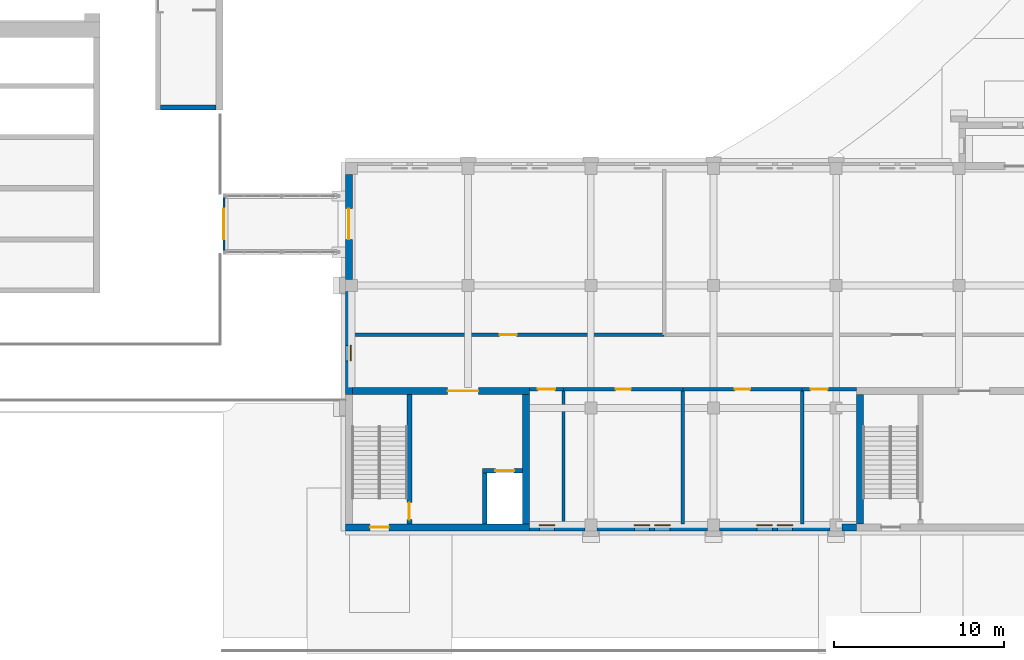
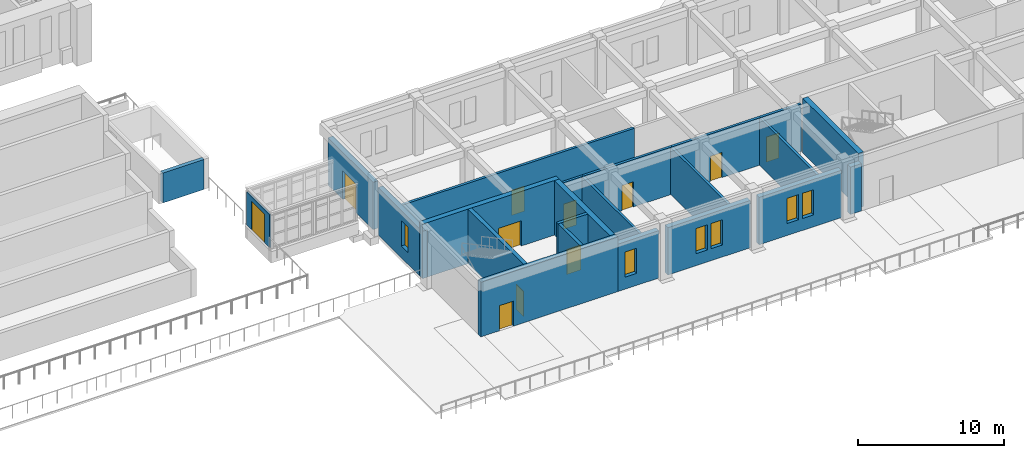
# One storey, part 89 of 131: 23 walls, 11 doors, 6 windows, 17 openings.
"""IFC4 building model written with IfcOpenShell, lengths in metres."""

from ifc_helpers import new_model, si_unit, direction, frame, frame_2d, origin, place, context, subcontext, project, spatial, rectangle, extrude, material, layer, layer_set, type_object, element, fill, save


model = new_model("IFC4")

# Units and contexts
model_context = context("Model", 3, precision=1e-05, world=origin(), true_north=direction((0.0, 1.0)))
body_context = subcontext(model_context, "Body", "Model", "MODEL_VIEW")
ifc_project = project(units=[si_unit("LENGTHUNIT", "METRE"), si_unit("AREAUNIT", "SQUARE_METRE"), si_unit("VOLUMEUNIT", "CUBIC_METRE"), si_unit("PLANEANGLEUNIT", "RADIAN"), si_unit("MASSUNIT", "GRAM", prefix="KILO")], contexts=[model_context])

# Site, building, storey
site_placement = place(None, origin())
site = spatial("IfcSite", under=ifc_project, at=site_placement, CompositionType="ELEMENT")
building_placement = place(site_placement, origin())
building = spatial("IfcBuilding", under=site, at=building_placement, Name="Alderwick Market Hall", CompositionType="ELEMENT")
storey_placement = place(building_placement, frame((0.0, 0.0, 4.800048828125)))
storey = spatial("IfcBuildingStorey", under=building, at=storey_placement, Name="L00", CompositionType="ELEMENT", Elevation=4.800048828125)

# Wall
ifc_material_1 = material(Name="Concrete 5000 psi (f'c 35 MPa)", Category="concrete")
ifc_layer_1 = layer(ifc_material_1, 0.300048828125)
ifc_layer_set_1 = layer_set([ifc_layer_1], Name="Concrete 5000 psi (f'c 35 MPa)")
wall_type_1 = type_object("IfcWallType", Name="A RC Head-house Wall 300", PredefinedType="SHEAR", material=ifc_layer_set_1)
wall_1_placement = place(storey_placement, frame((150.800048828125, 32.030029296875, 0.0), z_axis=(0.0, 0.0, 1.0), x_axis=(-1.0, 0.0, 0.0)))
element("IfcWall", 1, at=wall_1_placement, inside=storey, type_object=wall_type_1, Name="A.S.hh.E.n", PredefinedType="SHEAR", context=body_context, shape_type="SweptSolid", body=[
    extrude(rectangle(XDim=3.25, YDim=0.300048828125, at=frame_2d((1.625, 0.0))), origin(), (0.0, 0.0, 1.0), 2.5),
])

# Wall, opening, door
ifc_layer_2 = layer(ifc_material_1, 0.39990234375)
ifc_layer_set_2 = layer_set([ifc_layer_2], Name="Concrete 5000 psi (f'c 35 MPa)")
wall_type_2 = type_object("IfcWallType", Name="C Core Wall Concrete 5000 psi 400", PredefinedType="SHEAR", material=ifc_layer_set_2)
wall_2_placement = place(storey_placement, frame((169.199951171875, 7.39990234375, 0.0), z_axis=(0.0, 0.0, 1.0), x_axis=(-1.0, 0.0, 0.0)))
wall_2 = element("IfcWall", 2, at=wall_2_placement, inside=storey, type_object=wall_type_2, Name="C.wall.L00.fac.back.01", PredefinedType="SHEAR", context=body_context, shape_type="SweptSolid", body=[
    extrude(rectangle(XDim=10.800048828125, YDim=0.39990234375, at=frame_2d((5.39990234375, 0.0))), origin(), (0.0, 0.0, 1.0), 4.550048828125),
])
opening_1_placement = place(wall_2_placement, frame((8.25, 0.0, 0.0)))
opening_1 = element("IfcOpeningElement", 3, at=opening_1_placement, cuts=wall_2, Name="Opening C-D037", PredefinedType="OPENING", context=body_context, shape_type="SweptSolid", body=[
    extrude(rectangle(XDim=1.10009765625, YDim=2.10009765625, at=frame_2d((0.550048828125, 1.050048828125))), frame((0.0, 0.2099609375, 0.0), z_axis=(0.0, -1.0, 0.0), x_axis=(1.0, 0.0, 0.0)), (0.0, 0.0, 1.0), 0.419921875),
])
ifc_material_2 = material(Name="Steel, insulated", Category="steel")
door_type_1 = type_object("IfcDoorType", Name="C Exit Door FD60 1100x2100", OperationType="NOTDEFINED", PredefinedType="DOOR", material=ifc_material_2)
door_1_placement = place(opening_1_placement, origin())
door_1 = element("IfcDoor", 4, at=door_1_placement, inside=storey, type_object=door_type_1, Name="C.door.L00.037", OperationType="NOTDEFINED", OverallHeight=2.10009765625, OverallWidth=1.10009765625, PredefinedType="DOOR", context=body_context, shape_type="SweptSolid", body=[
    extrude(rectangle(XDim=1.10009765625, YDim=2.10009765625, at=frame_2d((0.550048828125, 1.050048828125))), frame((0.0, 0.02490234375, 0.0), z_axis=(0.0, -1.0, 0.0), x_axis=(1.0, 0.0, 0.0)), (0.0, 0.0, 1.0), 0.050048828125),
])
fill(opening_1, door_1)

wall_3_placement = place(storey_placement, frame((158.39990234375, 15.39990234375, 0.0), z_axis=(0.0, 0.0, 1.0), x_axis=(1.0, 0.0, 0.0)))
wall_3 = element("IfcWall", 5, at=wall_3_placement, inside=storey, type_object=wall_type_2, Name="C.wall.L00.core.A.front.01", PredefinedType="SHEAR", context=body_context, shape_type="SweptSolid", body=[
    extrude(rectangle(XDim=10.800048828125, YDim=0.39990234375, at=frame_2d((5.39990234375, 0.0))), origin(), (0.0, 0.0, 1.0), 4.550048828125),
])
opening_2_placement = place(wall_3_placement, frame((6.0, 0.0, 0.0)))
opening_2 = element("IfcOpeningElement", 6, at=opening_2_placement, cuts=wall_3, Name="Opening C-D035", PredefinedType="OPENING", context=body_context, shape_type="SweptSolid", body=[
    extrude(rectangle(XDim=1.800048828125, YDim=2.10009765625, at=frame_2d((0.89990234375, 1.050048828125))), frame((0.0, 0.2099609375, 0.0), z_axis=(0.0, -1.0, 0.0), x_axis=(1.0, 0.0, 0.0)), (0.0, 0.0, 1.0), 0.419921875),
])
door_type_2 = type_object("IfcDoorType", Name="C Fire Door Pair FD90 1800x2100", OperationType="NOTDEFINED", PredefinedType="DOOR", material=ifc_material_2)
door_2_placement = place(opening_2_placement, origin())
door_2 = element("IfcDoor", 7, at=door_2_placement, inside=storey, type_object=door_type_2, Name="C.door.L00.035", OperationType="NOTDEFINED", OverallHeight=2.10009765625, OverallWidth=1.800048828125, PredefinedType="DOOR", context=body_context, shape_type="SweptSolid", body=[
    extrude(rectangle(XDim=1.800048828125, YDim=2.10009765625, at=frame_2d((0.89990234375, 1.050048828125))), frame((0.0, 0.02490234375, 0.0), z_axis=(0.0, -1.0, 0.0), x_axis=(1.0, 0.0, 0.0)), (0.0, 0.0, 1.0), 0.050048828125),
])
fill(opening_2, door_2)

# Walls
for number, where, z_axis, x_axis, name in (
    (8, (169.0, 15.199951171875, 0.0), (0.0, 0.0, 1.0), (0.0, -1.0, 0.0), "C.wall.L00.core.A.east.01"),
    (9, (188.60009765625, 15.199951171875, 0.0), (0.0, 0.0, 1.0), (0.0, -1.0, 0.0), "C.wall.L00.core.B.west.01"),
):
    element("IfcWall", number, at=place(storey_placement, frame(where, z_axis=z_axis, x_axis=x_axis)), inside=storey, type_object=wall_type_2, Name=name, PredefinedType="SHEAR", context=body_context, shape_type="SweptSolid", body=[
        extrude(rectangle(XDim=7.599853515625, YDim=0.39990234375, at=frame_2d((3.7998046875, 0.0))), origin(), (0.0, 0.0, 1.0), 4.550048828125),
    ])

# Wall, opening, door
ifc_layer_3 = layer(ifc_material_1, 0.39990234375)
ifc_layer_set_3 = layer_set([ifc_layer_3], Name="Concrete 5000 psi (f'c 35 MPa)")
wall_type_3 = type_object("IfcWallType", Name="C End Shear Wall Concrete 5000 psi 400", PredefinedType="SHEAR", material=ifc_layer_set_3)
wall_4_placement = place(storey_placement, frame((158.60009765625, 21.949951171875, 0.0), z_axis=(0.0, 0.0, 1.0), x_axis=(0.0, 1.0, 0.0)))
wall_4 = element("IfcWall", 10, at=wall_4_placement, inside=storey, type_object=wall_type_3, Name="C.wall.L00.fac.west.01", PredefinedType="SHEAR", context=body_context, shape_type="SweptSolid", body=[
    extrude(rectangle(XDim=6.150146484375, YDim=0.39990234375, at=frame_2d((3.0751953125, 0.0))), origin(), (0.0, 0.0, 1.0), 3.949951171875),
])
opening_3_placement = place(wall_4_placement, frame((2.35009765625, 0.0, 0.0)))
opening_3 = element("IfcOpeningElement", 11, at=opening_3_placement, cuts=wall_4, Name="Opening C-D008", PredefinedType="OPENING", context=body_context, shape_type="SweptSolid", body=[
    extrude(rectangle(XDim=1.800048828125, YDim=2.39990234375, at=frame_2d((0.89990234375, 1.199951171875))), frame((0.0, 0.2099609375, 0.0), z_axis=(0.0, -1.0, 0.0), x_axis=(1.0, 0.0, 0.0)), (0.0, 0.0, 1.0), 0.419921875),
])
ifc_material_3 = material(Name="Aluminium, glazed", Category="aluminium")
door_type_3 = type_object("IfcDoorType", Name="C Passage Door Pair 1800x2400", OperationType="NOTDEFINED", PredefinedType="DOOR", material=ifc_material_3)
door_3_placement = place(opening_3_placement, origin())
door_3 = element("IfcDoor", 12, at=door_3_placement, inside=storey, type_object=door_type_3, Name="C.door.L00.008", OperationType="NOTDEFINED", OverallHeight=2.39990234375, OverallWidth=1.800048828125, PredefinedType="DOOR", context=body_context, shape_type="SweptSolid", body=[
    extrude(rectangle(XDim=1.800048828125, YDim=2.39990234375, at=frame_2d((0.89990234375, 1.199951171875))), frame((0.0, 0.02490234375, 0.0), z_axis=(0.0, -1.0, 0.0), x_axis=(1.0, 0.0, 0.0)), (0.0, 0.0, 1.0), 0.050048828125),
])
fill(opening_3, door_3)

# Wall, opening, window
wall_5_placement = place(storey_placement, frame((158.60009765625, 15.199951171875, 0.0), z_axis=(0.0, 0.0, 1.0), x_axis=(0.0, 1.0, 0.0)))
wall_5 = element("IfcWall", 13, at=wall_5_placement, inside=storey, type_object=wall_type_3, Name="C.wall.L00.fac.west.02", PredefinedType="SHEAR", context=body_context, shape_type="SweptSolid", body=[
    extrude(rectangle(XDim=6.050048828125, YDim=0.39990234375, at=frame_2d((3.02490234375, 0.0))), origin(), (0.0, 0.0, 1.0), 3.949951171875),
])
opening_4_placement = place(wall_5_placement, frame((1.97509765625, 0.0, 1.0)))
opening_4 = element("IfcOpeningElement", 14, at=opening_4_placement, cuts=wall_5, Name="Opening C-W010", PredefinedType="OPENING", context=body_context, shape_type="SweptSolid", body=[
    extrude(rectangle(XDim=0.89990234375, YDim=2.10009765625, at=frame_2d((0.449951171875, 1.050048828125))), frame((0.0, 0.2099609375, 0.0), z_axis=(0.0, -1.0, 0.0), x_axis=(1.0, 0.0, 0.0)), (0.0, 0.0, 1.0), 0.419921875),
])
ifc_material_4 = material(Name="Aluminium frame, double glazing", Category="aluminium")
window_type = type_object("IfcWindowType", Name="C Paired Base Window 900x2100", PartitioningType="SINGLE_PANEL", PredefinedType="WINDOW", material=ifc_material_4)
window_1_placement = place(opening_4_placement, origin())
window_1 = element("IfcWindow", 15, at=window_1_placement, inside=storey, type_object=window_type, Name="C.win.L00.010", OverallHeight=2.10009765625, OverallWidth=0.89990234375, PartitioningType="SINGLE_PANEL", PredefinedType="WINDOW", context=body_context, shape_type="SweptSolid", body=[
    extrude(rectangle(XDim=0.89990234375, YDim=2.10009765625, at=frame_2d((0.449951171875, 1.050048828125))), frame((0.0, -0.090087890625, 0.0), z_axis=(0.0, -1.0, 0.0), x_axis=(1.0, 0.0, 0.0)), (0.0, 0.0, 1.0), 0.06005859375),
])
fill(opening_4, window_1)

# Wall, opening, door
ifc_material_5 = material(Name="Gypsum board on steel studs", Category="steel")
ifc_layer_4 = layer(ifc_material_5, 0.199951171875)
ifc_layer_set_4 = layer_set([ifc_layer_4], Name="Gypsum board on steel studs")
wall_type_4 = type_object("IfcWallType", Name="C Fire Partition Wall 200", PredefinedType="PARTITIONING", material=ifc_layer_set_4)
wall_6_placement = place(storey_placement, frame((169.199951171875, 15.5, 0.0), z_axis=(0.0, 0.0, 1.0), x_axis=(1.0, 0.0, 0.0)))
wall_6 = element("IfcWall", 16, at=wall_6_placement, inside=storey, type_object=wall_type_4, Name="C.wall.L00.part.005", PredefinedType="PARTITIONING", context=body_context, shape_type="SweptSolid", body=[
    extrude(rectangle(XDim=2.0, YDim=0.199951171875, at=frame_2d((1.0, 0.0))), origin(), (0.0, 0.0, 1.0), 3.949951171875),
])
opening_5_placement = place(wall_6_placement, frame((0.5, 0.0, 0.0)))
opening_5 = element("IfcOpeningElement", 17, at=opening_5_placement, cuts=wall_6, Name="Opening C-D049", PredefinedType="OPENING", context=body_context, shape_type="SweptSolid", body=[
    extrude(rectangle(XDim=1.0, YDim=2.10009765625, at=frame_2d((0.5, 1.050048828125))), frame((0.0, 0.10986328125, 0.0), z_axis=(0.0, -1.0, 0.0), x_axis=(1.0, 0.0, 0.0)), (0.0, 0.0, 1.0), 0.219970703125),
])
door_type_4 = type_object("IfcDoorType", Name="C Fire Door FD60 1000x2100", OperationType="NOTDEFINED", PredefinedType="DOOR", material=ifc_material_2)
door_4_placement = place(opening_5_placement, origin())
door_4 = element("IfcDoor", 18, at=door_4_placement, inside=storey, type_object=door_type_4, Name="C.door.L00.049", OperationType="NOTDEFINED", OverallHeight=2.10009765625, OverallWidth=1.0, PredefinedType="DOOR", context=body_context, shape_type="SweptSolid", body=[
    extrude(rectangle(XDim=1.0, YDim=2.10009765625, at=frame_2d((0.5, 1.050048828125))), frame((0.0, 0.02490234375, 0.0), z_axis=(0.0, -1.0, 0.0), x_axis=(1.0, 0.0, 0.0)), (0.0, 0.0, 1.0), 0.050048828125),
])
fill(opening_5, door_4)

# Walls
wall_7_placement = place(storey_placement, frame((171.199951171875, 15.5, 0.0), z_axis=(0.0, 0.0, 1.0), x_axis=(0.0, -1.0, 0.0)))
element("IfcWall", 19, at=wall_7_placement, inside=storey, type_object=wall_type_4, Name="C.wall.L00.part.010", PredefinedType="PARTITIONING", context=body_context, shape_type="SweptSolid", body=[
    extrude(rectangle(XDim=7.89990234375, YDim=0.199951171875, at=frame_2d((3.949951171875, 0.0))), origin(), (0.0, 0.0, 1.0), 3.949951171875),
])
ifc_layer_5 = layer(ifc_material_1, 0.25)
ifc_layer_set_5 = layer_set([ifc_layer_5], Name="Concrete 5000 psi (f'c 35 MPa)")
wall_type_5 = type_object("IfcWallType", Name="C Lift Shaft Wall Concrete 5000 psi 250", PredefinedType="SHEAR", material=ifc_layer_set_5)
wall_8_placement = place(storey_placement, frame((166.574951171875, 10.85009765625, 0.0), z_axis=(0.0, 0.0, 1.0), x_axis=(0.0, -1.0, 0.0)))
element("IfcWall", 20, at=wall_8_placement, inside=storey, type_object=wall_type_5, Name="C.wall.L00.core.A.shaftw.01", PredefinedType="SHEAR", context=body_context, shape_type="SweptSolid", body=[
    extrude(rectangle(XDim=3.25, YDim=0.25, at=frame_2d((1.625, 0.0))), origin(), (0.0, 0.0, 1.0), 4.550048828125),
])

# Wall, opening, door
wall_9_placement = place(storey_placement, frame((166.449951171875, 10.72509765625, 0.0), z_axis=(0.0, 0.0, 1.0), x_axis=(1.0, 0.0, 0.0)))
wall_9 = element("IfcWall", 21, at=wall_9_placement, inside=storey, type_object=wall_type_5, Name="C.wall.L00.core.A.shaftf.01", PredefinedType="SHEAR", context=body_context, shape_type="SweptSolid", body=[
    extrude(rectangle(XDim=2.35009765625, YDim=0.25, at=frame_2d((1.175048828125, 0.0))), origin(), (0.0, 0.0, 1.0), 4.550048828125),
])
opening_6_placement = place(wall_9_placement, frame((0.75, 0.0, 0.0)))
opening_6 = element("IfcOpeningElement", 22, at=opening_6_placement, cuts=wall_9, Name="Opening C-D036", PredefinedType="OPENING", context=body_context, shape_type="SweptSolid", body=[
    extrude(rectangle(XDim=1.10009765625, YDim=2.10009765625, at=frame_2d((0.550048828125, 1.050048828125))), frame((0.0, 0.135009765625, 0.0), z_axis=(0.0, -1.0, 0.0), x_axis=(1.0, 0.0, 0.0)), (0.0, 0.0, 1.0), 0.27001953125),
])
ifc_material_6 = material(Name="Stainless steel", Category="steel")
door_type_5 = type_object("IfcDoorType", Name="C Lift Landing Door 1100x2100", OperationType="SLIDING_TO_LEFT", PredefinedType="DOOR", material=ifc_material_6)
door_5_placement = place(opening_6_placement, origin())
door_5 = element("IfcDoor", 23, at=door_5_placement, inside=storey, type_object=door_type_5, Name="C.door.L00.036", OperationType="SLIDING_TO_LEFT", OverallHeight=2.10009765625, OverallWidth=1.10009765625, PredefinedType="DOOR", context=body_context, shape_type="SweptSolid", body=[
    extrude(rectangle(XDim=1.10009765625, YDim=2.10009765625, at=frame_2d((0.550048828125, 1.050048828125))), frame((0.0, 0.02490234375, 0.0), z_axis=(0.0, -1.0, 0.0), x_axis=(1.0, 0.0, 0.0)), (0.0, 0.0, 1.0), 0.050048828125),
])
fill(opening_6, door_5)

ifc_layer_6 = layer(ifc_material_5, 0.199951171875)
ifc_layer_set_6 = layer_set([ifc_layer_6], Name="Gypsum board on steel studs")
wall_type_6 = type_object("IfcWallType", Name="C Partition Wall 200", PredefinedType="PARTITIONING", material=ifc_layer_set_6)
wall_10_placement = place(storey_placement, frame((158.800048828125, 18.699951171875, 0.0), z_axis=(0.0, 0.0, 1.0), x_axis=(1.0, 0.0, 0.0)))
wall_10 = element("IfcWall", 24, at=wall_10_placement, inside=storey, type_object=wall_type_6, Name="C.wall.L00.part.001", PredefinedType="PARTITIONING", context=body_context, shape_type="SweptSolid", body=[
    extrude(rectangle(XDim=18.300048828125, YDim=0.199951171875, at=frame_2d((9.14990234375, 0.0))), origin(), (0.0, 0.0, 1.0), 3.949951171875),
])
opening_7_placement = place(wall_10_placement, frame((8.64990234375, 0.0, 0.0)))
opening_7 = element("IfcOpeningElement", 25, at=opening_7_placement, cuts=wall_10, Name="Opening C-D045", PredefinedType="OPENING", context=body_context, shape_type="SweptSolid", body=[
    extrude(rectangle(XDim=1.0, YDim=2.10009765625, at=frame_2d((0.5, 1.050048828125))), frame((0.0, 0.10986328125, 0.0), z_axis=(0.0, -1.0, 0.0), x_axis=(1.0, 0.0, 0.0)), (0.0, 0.0, 1.0), 0.219970703125),
])
ifc_material_7 = material(Name="Timber, solid core", Category="wood")
door_type_6 = type_object("IfcDoorType", Name="C Door 1000x2100", OperationType="NOTDEFINED", PredefinedType="DOOR", material=ifc_material_7)
door_6_placement = place(opening_7_placement, origin())
door_6 = element("IfcDoor", 26, at=door_6_placement, inside=storey, type_object=door_type_6, Name="C.door.L00.045", OperationType="NOTDEFINED", OverallHeight=2.10009765625, OverallWidth=1.0, PredefinedType="DOOR", context=body_context, shape_type="SweptSolid", body=[
    extrude(rectangle(XDim=1.0, YDim=2.10009765625, at=frame_2d((0.5, 1.050048828125))), frame((0.0, 0.02490234375, 0.0), z_axis=(0.0, -1.0, 0.0), x_axis=(1.0, 0.0, 0.0)), (0.0, 0.0, 1.0), 0.050048828125),
])
fill(opening_7, door_6)

wall_11_placement = place(storey_placement, frame((171.199951171875, 15.5, 0.0), z_axis=(0.0, 0.0, 1.0), x_axis=(1.0, 0.0, 0.0)))
wall_11 = element("IfcWall", 27, at=wall_11_placement, inside=storey, type_object=wall_type_6, Name="C.wall.L00.part.006", PredefinedType="PARTITIONING", context=body_context, shape_type="SweptSolid", body=[
    extrude(rectangle(XDim=7.0, YDim=0.199951171875, at=frame_2d((3.5, 0.0))), origin(), (0.0, 0.0, 1.0), 3.949951171875),
])
opening_8_placement = place(wall_11_placement, frame((3.050048828125, 0.0, 0.0)))
opening_8 = element("IfcOpeningElement", 28, at=opening_8_placement, cuts=wall_11, Name="Opening C-D050", PredefinedType="OPENING", context=body_context, shape_type="SweptSolid", body=[
    extrude(rectangle(XDim=0.89990234375, YDim=2.10009765625, at=frame_2d((0.449951171875, 1.050048828125))), frame((0.0, 0.10986328125, 0.0), z_axis=(0.0, -1.0, 0.0), x_axis=(1.0, 0.0, 0.0)), (0.0, 0.0, 1.0), 0.219970703125),
])
door_type_7 = type_object("IfcDoorType", Name="C Door 900x2100", OperationType="NOTDEFINED", PredefinedType="DOOR", material=ifc_material_7)
door_7_placement = place(opening_8_placement, origin())
door_7 = element("IfcDoor", 29, at=door_7_placement, inside=storey, type_object=door_type_7, Name="C.door.L00.050", OperationType="NOTDEFINED", OverallHeight=2.10009765625, OverallWidth=0.89990234375, PredefinedType="DOOR", context=body_context, shape_type="SweptSolid", body=[
    extrude(rectangle(XDim=0.89990234375, YDim=2.10009765625, at=frame_2d((0.449951171875, 1.050048828125))), frame((0.0, 0.02490234375, 0.0), z_axis=(0.0, -1.0, 0.0), x_axis=(1.0, 0.0, 0.0)), (0.0, 0.0, 1.0), 0.050048828125),
])
fill(opening_8, door_7)

wall_12_placement = place(storey_placement, frame((178.199951171875, 15.5, 0.0), z_axis=(0.0, 0.0, 1.0), x_axis=(1.0, 0.0, 0.0)))
wall_12 = element("IfcWall", 30, at=wall_12_placement, inside=storey, type_object=wall_type_6, Name="C.wall.L00.part.007", PredefinedType="PARTITIONING", context=body_context, shape_type="SweptSolid", body=[
    extrude(rectangle(XDim=7.0, YDim=0.199951171875, at=frame_2d((3.5, 0.0))), origin(), (0.0, 0.0, 1.0), 3.949951171875),
])
opening_9_placement = place(wall_12_placement, frame((3.050048828125, 0.0, 0.0)))
opening_9 = element("IfcOpeningElement", 31, at=opening_9_placement, cuts=wall_12, Name="Opening C-D051", PredefinedType="OPENING", context=body_context, shape_type="SweptSolid", body=[
    extrude(rectangle(XDim=0.89990234375, YDim=2.10009765625, at=frame_2d((0.449951171875, 1.050048828125))), frame((0.0, 0.10986328125, 0.0), z_axis=(0.0, -1.0, 0.0), x_axis=(1.0, 0.0, 0.0)), (0.0, 0.0, 1.0), 0.219970703125),
])
door_8_placement = place(opening_9_placement, origin())
door_8 = element("IfcDoor", 32, at=door_8_placement, inside=storey, type_object=door_type_7, Name="C.door.L00.051", OperationType="NOTDEFINED", OverallHeight=2.10009765625, OverallWidth=0.89990234375, PredefinedType="DOOR", context=body_context, shape_type="SweptSolid", body=[
    extrude(rectangle(XDim=0.89990234375, YDim=2.10009765625, at=frame_2d((0.449951171875, 1.050048828125))), frame((0.0, 0.02490234375, 0.0), z_axis=(0.0, -1.0, 0.0), x_axis=(1.0, 0.0, 0.0)), (0.0, 0.0, 1.0), 0.050048828125),
])
fill(opening_9, door_8)

wall_13_placement = place(storey_placement, frame((185.199951171875, 15.5, 0.0), z_axis=(0.0, 0.0, 1.0), x_axis=(1.0, 0.0, 0.0)))
wall_13 = element("IfcWall", 33, at=wall_13_placement, inside=storey, type_object=wall_type_6, Name="C.wall.L00.part.008", PredefinedType="PARTITIONING", context=body_context, shape_type="SweptSolid", body=[
    extrude(rectangle(XDim=3.199951171875, YDim=0.199951171875, at=frame_2d((1.60009765625, 0.0))), origin(), (0.0, 0.0, 1.0), 3.949951171875),
])
opening_10_placement = place(wall_13_placement, frame((0.5, 0.0, 0.0)))
opening_10 = element("IfcOpeningElement", 34, at=opening_10_placement, cuts=wall_13, Name="Opening C-D052", PredefinedType="OPENING", context=body_context, shape_type="SweptSolid", body=[
    extrude(rectangle(XDim=1.0, YDim=2.10009765625, at=frame_2d((0.5, 1.050048828125))), frame((0.0, 0.10986328125, 0.0), z_axis=(0.0, -1.0, 0.0), x_axis=(1.0, 0.0, 0.0)), (0.0, 0.0, 1.0), 0.219970703125),
])
door_9_placement = place(opening_10_placement, origin())
door_9 = element("IfcDoor", 35, at=door_9_placement, inside=storey, type_object=door_type_6, Name="C.door.L00.052", OperationType="NOTDEFINED", OverallHeight=2.10009765625, OverallWidth=1.0, PredefinedType="DOOR", context=body_context, shape_type="SweptSolid", body=[
    extrude(rectangle(XDim=1.0, YDim=2.10009765625, at=frame_2d((0.5, 1.050048828125))), frame((0.0, 0.02490234375, 0.0), z_axis=(0.0, -1.0, 0.0), x_axis=(1.0, 0.0, 0.0)), (0.0, 0.0, 1.0), 0.050048828125),
])
fill(opening_10, door_9)

# Walls
for number, where, z_axis, x_axis, name in (
    (36, (178.199951171875, 15.5, 0.0), (0.0, 0.0, 1.0), (0.0, -1.0, 0.0), "C.wall.L00.part.012"),
    (37, (185.199951171875, 15.5, 0.0), (0.0, 0.0, 1.0), (0.0, -1.0, 0.0), "C.wall.L00.part.013"),
):
    element("IfcWall", number, at=place(storey_placement, frame(where, z_axis=z_axis, x_axis=x_axis)), inside=storey, type_object=wall_type_6, Name=name, PredefinedType="PARTITIONING", context=body_context, shape_type="SweptSolid", body=[
        extrude(rectangle(XDim=7.89990234375, YDim=0.199951171875, at=frame_2d((3.949951171875, 0.0))), origin(), (0.0, 0.0, 1.0), 3.949951171875),
    ])

# Wall, opening, window
ifc_material_8 = material(Name="Cast stone 5000 psi", Category="masonry")
ifc_layer_7 = layer(ifc_material_8, 0.39990234375)
ifc_layer_set_7 = layer_set([ifc_layer_7], Name="Cast stone 5000 psi")
wall_type_7 = type_object("IfcWallType", Name="C Rusticated Cast Stone Wall 400", PredefinedType="SOLIDWALL", material=ifc_layer_set_7)
wall_14_placement = place(storey_placement, frame((172.449951171875, 7.39990234375, 0.0), z_axis=(0.0, 0.0, 1.0), x_axis=(-1.0, 0.0, 0.0)))
wall_14 = element("IfcWall", 38, at=wall_14_placement, inside=storey, type_object=wall_type_7, Name="C.wall.L00.fac.back.02", PredefinedType="SOLIDWALL", context=body_context, shape_type="SweptSolid", body=[
    extrude(rectangle(XDim=3.25, YDim=0.39990234375, at=frame_2d((1.625, 0.0))), origin(), (0.0, 0.0, 1.0), 3.949951171875),
])
opening_11_placement = place(wall_14_placement, frame((1.77490234375, 0.0, 1.0)))
opening_11 = element("IfcOpeningElement", 39, at=opening_11_placement, cuts=wall_14, Name="Opening C-W011", PredefinedType="OPENING", context=body_context, shape_type="SweptSolid", body=[
    extrude(rectangle(XDim=0.89990234375, YDim=2.10009765625, at=frame_2d((0.449951171875, 1.050048828125))), frame((0.0, 0.2099609375, 0.0), z_axis=(0.0, -1.0, 0.0), x_axis=(1.0, 0.0, 0.0)), (0.0, 0.0, 1.0), 0.419921875),
])
window_2_placement = place(opening_11_placement, origin())
window_2 = element("IfcWindow", 40, at=window_2_placement, inside=storey, type_object=window_type, Name="C.win.L00.011", OverallHeight=2.10009765625, OverallWidth=0.89990234375, PartitioningType="SINGLE_PANEL", PredefinedType="WINDOW", context=body_context, shape_type="SweptSolid", body=[
    extrude(rectangle(XDim=0.89990234375, YDim=2.10009765625, at=frame_2d((0.449951171875, 1.050048828125))), frame((0.0, -0.090087890625, 0.0), z_axis=(0.0, -1.0, 0.0), x_axis=(1.0, 0.0, 0.0)), (0.0, 0.0, 1.0), 0.06005859375),
])
fill(opening_11, window_2)

# Wall, openings, windows
wall_15_placement = place(storey_placement, frame((179.64990234375, 7.39990234375, 0.0), z_axis=(0.0, 0.0, 1.0), x_axis=(-1.0, 0.0, 0.0)))
wall_15 = element("IfcWall", 41, at=wall_15_placement, inside=storey, type_object=wall_type_7, Name="C.wall.L00.fac.back.03", PredefinedType="SOLIDWALL", context=body_context, shape_type="SweptSolid", body=[
    extrude(rectangle(XDim=6.5, YDim=0.39990234375, at=frame_2d((3.25, 0.0))), origin(), (0.0, 0.0, 1.0), 3.949951171875),
])
opening_12_placement = place(wall_15_placement, frame((2.199951171875, 0.0, 1.0)))
opening_12 = element("IfcOpeningElement", 42, at=opening_12_placement, cuts=wall_15, Name="Opening C-W012", PredefinedType="OPENING", context=body_context, shape_type="SweptSolid", body=[
    extrude(rectangle(XDim=0.89990234375, YDim=2.10009765625, at=frame_2d((0.449951171875, 1.050048828125))), frame((0.0, 0.2099609375, 0.0), z_axis=(0.0, -1.0, 0.0), x_axis=(1.0, 0.0, 0.0)), (0.0, 0.0, 1.0), 0.419921875),
])
opening_13_placement = place(wall_15_placement, frame((3.39990234375, 0.0, 1.0)))
opening_13 = element("IfcOpeningElement", 43, at=opening_13_placement, cuts=wall_15, Name="Opening C-W013", PredefinedType="OPENING", context=body_context, shape_type="SweptSolid", body=[
    extrude(rectangle(XDim=0.89990234375, YDim=2.10009765625, at=frame_2d((0.449951171875, 1.050048828125))), frame((0.0, 0.2099609375, 0.0), z_axis=(0.0, -1.0, 0.0), x_axis=(1.0, 0.0, 0.0)), (0.0, 0.0, 1.0), 0.419921875),
])
window_3_placement = place(opening_12_placement, origin())
window_3 = element("IfcWindow", 44, at=window_3_placement, inside=storey, type_object=window_type, Name="C.win.L00.012", OverallHeight=2.10009765625, OverallWidth=0.89990234375, PartitioningType="SINGLE_PANEL", PredefinedType="WINDOW", context=body_context, shape_type="SweptSolid", body=[
    extrude(rectangle(XDim=0.89990234375, YDim=2.10009765625, at=frame_2d((0.449951171875, 1.050048828125))), frame((0.0, -0.090087890625, 0.0), z_axis=(0.0, -1.0, 0.0), x_axis=(1.0, 0.0, 0.0)), (0.0, 0.0, 1.0), 0.06005859375),
])
fill(opening_12, window_3)
window_4_placement = place(opening_13_placement, origin())
window_4 = element("IfcWindow", 45, at=window_4_placement, inside=storey, type_object=window_type, Name="C.win.L00.013", OverallHeight=2.10009765625, OverallWidth=0.89990234375, PartitioningType="SINGLE_PANEL", PredefinedType="WINDOW", context=body_context, shape_type="SweptSolid", body=[
    extrude(rectangle(XDim=0.89990234375, YDim=2.10009765625, at=frame_2d((0.449951171875, 1.050048828125))), frame((0.0, -0.090087890625, 0.0), z_axis=(0.0, -1.0, 0.0), x_axis=(1.0, 0.0, 0.0)), (0.0, 0.0, 1.0), 0.06005859375),
])
fill(opening_13, window_4)

wall_16_placement = place(storey_placement, frame((186.85009765625, 7.39990234375, 0.0), z_axis=(0.0, 0.0, 1.0), x_axis=(-1.0, 0.0, 0.0)))
wall_16 = element("IfcWall", 46, at=wall_16_placement, inside=storey, type_object=wall_type_7, Name="C.wall.L00.fac.back.04", PredefinedType="SOLIDWALL", context=body_context, shape_type="SweptSolid", body=[
    extrude(rectangle(XDim=6.5, YDim=0.39990234375, at=frame_2d((3.25, 0.0))), origin(), (0.0, 0.0, 1.0), 3.949951171875),
])
opening_14_placement = place(wall_16_placement, frame((2.199951171875, 0.0, 1.0)))
opening_14 = element("IfcOpeningElement", 47, at=opening_14_placement, cuts=wall_16, Name="Opening C-W014", PredefinedType="OPENING", context=body_context, shape_type="SweptSolid", body=[
    extrude(rectangle(XDim=0.89990234375, YDim=2.10009765625, at=frame_2d((0.449951171875, 1.050048828125))), frame((0.0, 0.2099609375, 0.0), z_axis=(0.0, -1.0, 0.0), x_axis=(1.0, 0.0, 0.0)), (0.0, 0.0, 1.0), 0.419921875),
])
opening_15_placement = place(wall_16_placement, frame((3.39990234375, 0.0, 1.0)))
opening_15 = element("IfcOpeningElement", 48, at=opening_15_placement, cuts=wall_16, Name="Opening C-W015", PredefinedType="OPENING", context=body_context, shape_type="SweptSolid", body=[
    extrude(rectangle(XDim=0.89990234375, YDim=2.10009765625, at=frame_2d((0.449951171875, 1.050048828125))), frame((0.0, 0.2099609375, 0.0), z_axis=(0.0, -1.0, 0.0), x_axis=(1.0, 0.0, 0.0)), (0.0, 0.0, 1.0), 0.419921875),
])
window_5_placement = place(opening_14_placement, origin())
window_5 = element("IfcWindow", 49, at=window_5_placement, inside=storey, type_object=window_type, Name="C.win.L00.014", OverallHeight=2.10009765625, OverallWidth=0.89990234375, PartitioningType="SINGLE_PANEL", PredefinedType="WINDOW", context=body_context, shape_type="SweptSolid", body=[
    extrude(rectangle(XDim=0.89990234375, YDim=2.10009765625, at=frame_2d((0.449951171875, 1.050048828125))), frame((0.0, -0.090087890625, 0.0), z_axis=(0.0, -1.0, 0.0), x_axis=(1.0, 0.0, 0.0)), (0.0, 0.0, 1.0), 0.06005859375),
])
fill(opening_14, window_5)
window_6_placement = place(opening_15_placement, origin())
window_6 = element("IfcWindow", 50, at=window_6_placement, inside=storey, type_object=window_type, Name="C.win.L00.015", OverallHeight=2.10009765625, OverallWidth=0.89990234375, PartitioningType="SINGLE_PANEL", PredefinedType="WINDOW", context=body_context, shape_type="SweptSolid", body=[
    extrude(rectangle(XDim=0.89990234375, YDim=2.10009765625, at=frame_2d((0.449951171875, 1.050048828125))), frame((0.0, -0.090087890625, 0.0), z_axis=(0.0, -1.0, 0.0), x_axis=(1.0, 0.0, 0.0)), (0.0, 0.0, 1.0), 0.06005859375),
])
fill(opening_15, window_6)

# Wall
wall_17_placement = place(storey_placement, frame((188.39990234375, 7.39990234375, 0.0), z_axis=(0.0, 0.0, 1.0), x_axis=(-1.0, 0.0, 0.0)))
element("IfcWall", 51, at=wall_17_placement, inside=storey, type_object=wall_type_7, Name="C.wall.L00.fac.back.05", PredefinedType="SOLIDWALL", context=body_context, shape_type="SweptSolid", body=[
    extrude(rectangle(XDim=0.849853515625, YDim=0.39990234375, at=frame_2d((0.4248046875, 0.0))), origin(), (0.0, 0.0, 1.0), 3.949951171875),
])

# Wall, opening, door
ifc_layer_8 = layer(ifc_material_1, 0.300048828125)
ifc_layer_set_8 = layer_set([ifc_layer_8], Name="Concrete 5000 psi (f'c 35 MPa)")
wall_type_8 = type_object("IfcWallType", Name="C Stair Divider Wall Concrete 5000 psi 300", PredefinedType="SHEAR", material=ifc_layer_set_8)
wall_18_placement = place(storey_placement, frame((162.14990234375, 15.199951171875, 0.0), z_axis=(0.0, 0.0, 1.0), x_axis=(0.0, -1.0, 0.0)))
wall_18 = element("IfcWall", 52, at=wall_18_placement, inside=storey, type_object=wall_type_8, Name="C.wall.L00.core.A.div.01", PredefinedType="SHEAR", context=body_context, shape_type="SweptSolid", body=[
    extrude(rectangle(XDim=7.599853515625, YDim=0.300048828125, at=frame_2d((3.7998046875, 0.0))), origin(), (0.0, 0.0, 1.0), 4.550048828125),
])
opening_16_placement = place(wall_18_placement, frame((6.35009765625, 0.0, 0.0)))
opening_16 = element("IfcOpeningElement", 53, at=opening_16_placement, cuts=wall_18, Name="Opening C-D034", PredefinedType="OPENING", context=body_context, shape_type="SweptSolid", body=[
    extrude(rectangle(XDim=1.0, YDim=2.10009765625, at=frame_2d((0.5, 1.050048828125))), frame((0.0, 0.159912109375, 0.0), z_axis=(0.0, -1.0, 0.0), x_axis=(1.0, 0.0, 0.0)), (0.0, 0.0, 1.0), 0.320068359375),
])
door_type_8 = type_object("IfcDoorType", Name="C Fire Door FD90 1000x2100", OperationType="NOTDEFINED", PredefinedType="DOOR", material=ifc_material_2)
door_10_placement = place(opening_16_placement, origin())
door_10 = element("IfcDoor", 54, at=door_10_placement, inside=storey, type_object=door_type_8, Name="C.door.L00.034", OperationType="NOTDEFINED", OverallHeight=2.10009765625, OverallWidth=1.0, PredefinedType="DOOR", context=body_context, shape_type="SweptSolid", body=[
    extrude(rectangle(XDim=1.0, YDim=2.10009765625, at=frame_2d((0.5, 1.050048828125))), frame((0.0, 0.02490234375, 0.0), z_axis=(0.0, -1.0, 0.0), x_axis=(1.0, 0.0, 0.0)), (0.0, 0.0, 1.0), 0.050048828125),
])
fill(opening_16, door_10)

ifc_material_9 = material(Name="Aluminium frame with glazing infill", Category="aluminium")
ifc_layer_9 = layer(ifc_material_9, 0.1201171875)
ifc_layer_set_9 = layer_set([ifc_layer_9], Name="Aluminium frame with glazing infill")
wall_type_9 = type_object("IfcWallType", Name="P Glazed End Wall 120", PredefinedType="SOLIDWALL", material=ifc_layer_set_9)
wall_19_placement = place(storey_placement, frame((151.260009765625, 23.6259765625, 0.0), z_axis=(0.0, 0.0, 1.0), x_axis=(0.0, 1.0, 0.0)))
wall_19 = element("IfcWall", 55, at=wall_19_placement, inside=storey, type_object=wall_type_9, Name="P.P10.endwall.low", PredefinedType="SOLIDWALL", context=body_context, shape_type="SweptSolid", body=[
    extrude(rectangle(XDim=3.14794921875, YDim=0.1201171875, at=frame_2d((1.573974609375, 0.0))), origin(), (0.0, 0.0, 1.0), 2.7529296875),
])
opening_17_placement = place(wall_19_placement, frame((0.674072265625, 0.0, 0.0)))
opening_17 = element("IfcOpeningElement", 56, at=opening_17_placement, cuts=wall_19, Name="Opening P-D008", PredefinedType="OPENING", context=body_context, shape_type="SweptSolid", body=[
    extrude(rectangle(XDim=1.800048828125, YDim=2.39990234375, at=frame_2d((0.89990234375, 1.199951171875))), frame((0.0, 0.070068359375, 0.0), z_axis=(0.0, -1.0, 0.0), x_axis=(1.0, 0.0, 0.0)), (0.0, 0.0, 1.0), 0.14013671875),
])
ifc_material_10 = material(Name="Aluminium frame and glass", Category="aluminium")
door_type_9 = type_object("IfcDoorType", Name="P Glazed Double Door 1800x2400", OperationType="DOUBLE_DOOR_DOUBLE_SWING", PredefinedType="DOOR", material=ifc_material_10)
door_11_placement = place(opening_17_placement, origin())
door_11 = element("IfcDoor", 57, at=door_11_placement, inside=storey, type_object=door_type_9, Name="Passage door onto the roof", OperationType="DOUBLE_DOOR_DOUBLE_SWING", OverallHeight=2.39990234375, OverallWidth=1.800048828125, PredefinedType="DOOR", context=body_context, shape_type="SweptSolid", body=[
    extrude(rectangle(XDim=1.800048828125, YDim=2.39990234375, at=frame_2d((0.89990234375, 1.199951171875))), frame((0.0, 0.02490234375, 0.0), z_axis=(0.0, -1.0, 0.0), x_axis=(1.0, 0.0, 0.0)), (0.0, 0.0, 1.0), 0.050048828125),
])
fill(opening_17, door_11)

save(model, "model.ifc")
